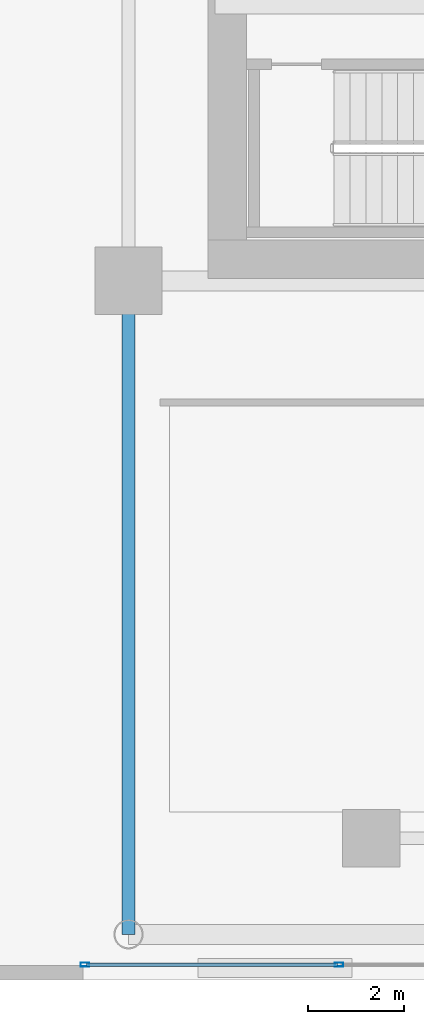
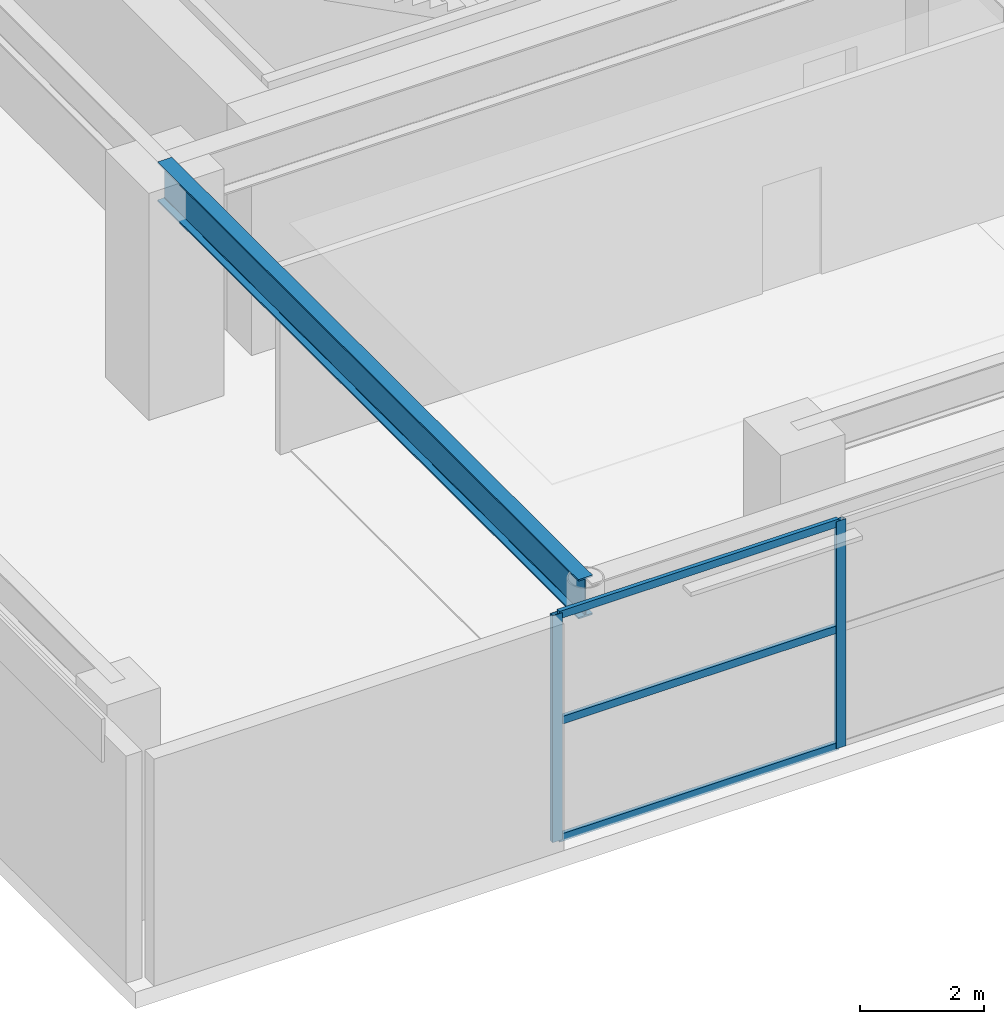
# One storey, part 3 of 28: 5 members, 1 beam, 1 element without a shape of its own.
"""IFC4 building model written with IfcOpenShell, lengths in metres."""

from ifc_helpers import new_model, si_unit, direction, frame, origin, origin_2d, place, context, subcontext, project, spatial, hollow_rectangle, i_section, extrude, source, transform, mapped, material, layer, layer_set, material_profile, profile_set, type_object, element, aggregate, save


model = new_model("IFC4")

# Units and contexts
model_context = context("Model", 3, precision=1e-05, world=origin(), true_north=direction((0.0, 1.0)))
body_context = subcontext(model_context, "Body", "Model", "MODEL_VIEW")
ifc_project = project(units=[si_unit("LENGTHUNIT", "METRE"), si_unit("AREAUNIT", "SQUARE_METRE"), si_unit("VOLUMEUNIT", "CUBIC_METRE"), si_unit("PLANEANGLEUNIT", "RADIAN"), si_unit("MASSUNIT", "GRAM", prefix="KILO")], contexts=[model_context])

# Site, building, storey
site_placement = place(None, origin())
site = spatial("IfcSite", under=ifc_project, at=site_placement, CompositionType="ELEMENT")
building_placement = place(site_placement, origin())
building = spatial("IfcBuilding", under=site, at=building_placement, Name="Ocotamira Hotel", CompositionType="ELEMENT")
storey_placement = place(building_placement, frame((0.0, 0.0, 24.0)))
storey = spatial("IfcBuildingStorey", under=building, at=storey_placement, Name="L05", CompositionType="ELEMENT", Elevation=24.0)

# Beam
ifc_material_1 = material(Name="Steel ASTM A992 Grade 50", Category="steel")
ifc_material_profile_1 = material_profile(ifc_material_1, i_section(OverallWidth=0.26611328125, OverallDepth=0.779052734375, WebThickness=0.0166015625, FlangeThickness=0.030029296875, FilletRadius=0.01806640625, at=origin_2d()), Name="W30X148")
ifc_profile_set_1 = profile_set([ifc_material_profile_1], Name="Steel ASTM A992 Grade 50")
beam_type = type_object("IfcBeamType", Name="BM-GIRD-W30X148", PredefinedType="BEAM", material=ifc_profile_set_1)
shared_shape_1 = source(origin(), body_context, "Body", "SweptSolid", [
    extrude(i_section(OverallWidth=0.26611328125, OverallDepth=0.779052734375, WebThickness=0.0166015625, FlangeThickness=0.030029296875, FilletRadius=0.01806640625, at=origin_2d()), origin(), (0.0, 0.0, 1.0), 13.60009765625),
])
beam_placement = place(storey_placement, frame((8.949951171875, 0.949951171875, 4.090576171875), z_axis=(0.0, 1.0, 0.0), x_axis=(-1.0, 0.0, 0.0)))
element("IfcBeam", 1, at=beam_placement, inside=storey, type_object=beam_type, Name="L05 Beam X8.95 Y0.95-14.55", PredefinedType="BEAM", context=body_context, shape_type="MappedRepresentation", body=[
    mapped(shared_shape_1, transform((0.0, 0.0, 0.0), scale=1.0)),
])

# Curtain wall, members
ifc_material_2 = material(Name="Anodised pale-metal aluminium and solar glass", Category="aluminium")
ifc_layer = layer(ifc_material_2, 0.219970703125)
ifc_layer_set = layer_set([ifc_layer], Name="Anodised pale-metal aluminium and solar glass")
curtain_wall_type = type_object("IfcCurtainWallType", Name="CW-SYS1-POD", PredefinedType="NOTDEFINED", material=ifc_layer_set)
curtain_wall_placement = place(storey_placement, origin())
curtain_wall = element("IfcCurtainWall", 2, at=curtain_wall_placement, inside=storey, type_object=curtain_wall_type, Name="L05 Curtain Wall CW-1 CW-L05-S1", PredefinedType="NOTDEFINED")
ifc_material_3 = material(Name="Anodised pale-metal aluminium 6063-T6", Category="aluminium")
ifc_material_profile_2 = material_profile(ifc_material_3, hollow_rectangle(XDim=0.080078125, YDim=0.179931640625, WallThickness=0.006103515625, at=origin_2d()), Name="HSS180X80X6")
ifc_profile_set_2 = profile_set([ifc_material_profile_2], Name="Anodised pale-metal aluminium 6063-T6")
member_type_1 = type_object("IfcMemberType", Name="CWM-180X75", PredefinedType="MULLION", material=ifc_profile_set_2)
shared_shape_2 = source(origin(), body_context, "Body", "SweptSolid", [
    extrude(hollow_rectangle(XDim=0.080078125, YDim=0.179931640625, WallThickness=0.006103515625, at=origin_2d()), origin(), (0.0, 0.0, 1.0), 4.47998046875),
])
member_1_placement = place(storey_placement, frame((8.0400390625, 0.320068359375, 0.0), z_axis=(0.0, 0.0, 1.0), x_axis=(0.0, 1.0, 0.0)))
member_1 = element("IfcMember", 3, at=member_1_placement, type_object=member_type_1, Name="CW-1 mullion 1", PredefinedType="MULLION", context=body_context, shape_type="MappedRepresentation", body=[
    mapped(shared_shape_2, transform((0.0, 0.0, 0.0), scale=1.0)),
])
member_2_placement = place(storey_placement, frame((13.333251953125, 0.320068359375, 0.0), z_axis=(0.0, 0.0, 1.0), x_axis=(0.0, 1.0, 0.0)))
member_2 = element("IfcMember", 4, at=member_2_placement, type_object=member_type_1, Name="CW-1 mullion 2", PredefinedType="MULLION", context=body_context, shape_type="MappedRepresentation", body=[
    mapped(shared_shape_2, transform((0.0, 0.0, 0.0), scale=1.0)),
])
ifc_material_profile_3 = material_profile(ifc_material_3, hollow_rectangle(XDim=0.074951171875, YDim=0.14990234375, WallThickness=0.006103515625, at=origin_2d()), Name="HSS150X75X6")
ifc_profile_set_3 = profile_set([ifc_material_profile_3], Name="Anodised pale-metal aluminium 6063-T6")
member_type_2 = type_object("IfcMemberType", Name="CWT-150X75", PredefinedType="USERDEFINED", material=ifc_profile_set_3)
shared_shape_3 = source(origin(), body_context, "Body", "SweptSolid", [
    extrude(hollow_rectangle(XDim=0.074951171875, YDim=0.14990234375, WallThickness=0.006103515625, at=origin_2d()), origin(), (0.0, 0.0, 1.0), 5.213134765625),
])
member_3_placement = place(storey_placement, frame((8.080078125, 0.320068359375, 0.03759765625), z_axis=(1.0, 0.0, 0.0), x_axis=(0.0, 1.0, 0.0)))
member_3 = element("IfcMember", 5, at=member_3_placement, type_object=member_type_2, Name="CW-1 transom 1.1", ObjectType="TRANSOM", PredefinedType="USERDEFINED", context=body_context, shape_type="MappedRepresentation", body=[
    mapped(shared_shape_3, transform((0.0, 0.0, 0.0), scale=1.0)),
])
member_4_placement = place(storey_placement, frame((8.080078125, 0.320068359375, 2.35009765625), z_axis=(1.0, 0.0, 0.0), x_axis=(0.0, 1.0, 0.0)))
member_4 = element("IfcMember", 6, at=member_4_placement, type_object=member_type_2, Name="CW-1 transom 1.2", ObjectType="TRANSOM", PredefinedType="USERDEFINED", context=body_context, shape_type="MappedRepresentation", body=[
    mapped(shared_shape_3, transform((0.0, 0.0, 0.0), scale=1.0)),
])
member_5_placement = place(storey_placement, frame((8.080078125, 0.320068359375, 4.4423828125), z_axis=(1.0, 0.0, 0.0), x_axis=(0.0, 1.0, 0.0)))
member_5 = element("IfcMember", 7, at=member_5_placement, type_object=member_type_2, Name="CW-1 transom 1.3", ObjectType="TRANSOM", PredefinedType="USERDEFINED", context=body_context, shape_type="MappedRepresentation", body=[
    mapped(shared_shape_3, transform((0.0, 0.0, 0.0), scale=1.0)),
])
aggregate(curtain_wall, [member_1, member_2, member_3, member_4, member_5])

save(model, "model.ifc")
